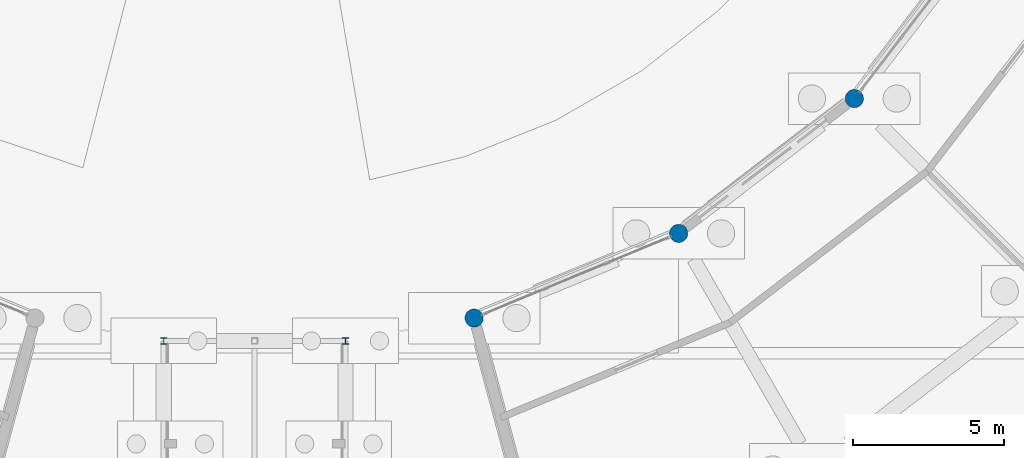
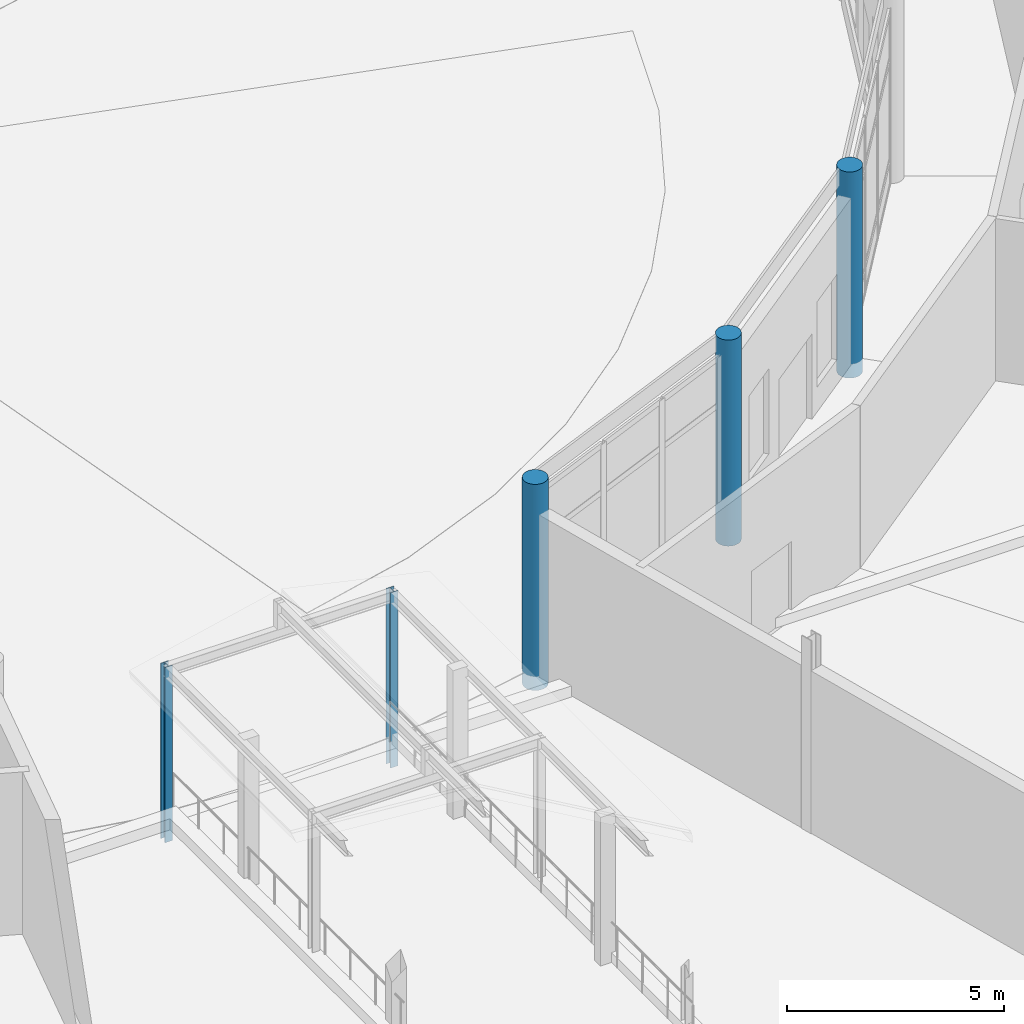
# One storey, part 11 of 137: 5 columns.
"""IFC4 building model written with IfcOpenShell, lengths in metres."""

from ifc_helpers import new_model, si_unit, direction, frame, origin, origin_2d, place, context, subcontext, project, spatial, circle, i_section, extrude, material, material_profile, profile_set, type_object, element, save


model = new_model("IFC4")

# Units and contexts
model_context = context("Model", 3, precision=1e-05, world=origin(), true_north=direction((0.0, 1.0)))
body_context = subcontext(model_context, "Body", "Model", "MODEL_VIEW")
ifc_project = project(units=[si_unit("LENGTHUNIT", "METRE"), si_unit("AREAUNIT", "SQUARE_METRE"), si_unit("VOLUMEUNIT", "CUBIC_METRE"), si_unit("PLANEANGLEUNIT", "RADIAN"), si_unit("MASSUNIT", "GRAM", prefix="KILO")], contexts=[model_context])

# Site, building, storey
site_placement = place(None, origin())
site = spatial("IfcSite", under=ifc_project, at=site_placement, CompositionType="ELEMENT")
building_placement = place(site_placement, origin())
building = spatial("IfcBuilding", under=site, at=building_placement, Name="Vondelvale Polytechnic", CompositionType="ELEMENT")
storey_placement = place(building_placement, origin())
storey = spatial("IfcBuildingStorey", under=building, at=storey_placement, Name="L00", CompositionType="ELEMENT", Elevation=0.0)

# Columns
ifc_material_1 = material(Name="Concrete N50 (f'c = 50 MPa)", Category="concrete")
ifc_material_profile_1 = material_profile(ifc_material_1, circle(Radius=0.300048828125, at=origin_2d()), Name="RC-COL-D600")
ifc_profile_set_1 = profile_set([ifc_material_profile_1], Name="Concrete N50 (f'c = 50 MPa)")
column_type_1 = type_object("IfcColumnType", Name="COL-RCD600", PredefinedType="COLUMN", material=ifc_profile_set_1)
for number, where, z_axis, x_axis, name in (
    (1, (109.246826171875, 44.9541015625, -0.39990234375), (0.0, 0.0, 1.0), (-0.258819045103, 0.965925826289, 0.0), "L00 courtyard ring column S19-RI"),
    (2, (116.0, 47.751220703125, -0.39990234375), (0.0, 0.0, 1.0), (-0.5, 0.866025403784, 0.0), "L00 courtyard ring column S20-RI"),
    (3, (121.799072265625, 52.200927734375, -0.39990234375), (0.0, 0.0, 1.0), (-0.707106781187, 0.707106781187, 0.0), "L00 courtyard ring column S21-RI"),
):
    element("IfcColumn", number, at=place(storey_placement, frame(where, z_axis=z_axis, x_axis=x_axis)), inside=storey, type_object=column_type_1, Name=name, PredefinedType="COLUMN", context=body_context, shape_type="SweptSolid", body=[
        extrude(circle(Radius=0.300048828125, at=origin_2d()), origin(), (0.0, 0.0, 1.0), 5.7998046875),
    ])
ifc_material_2 = material(Name="Steel 300PLUS (fy = 300 MPa)", Category="steel")
ifc_material_profile_2 = material_profile(ifc_material_2, i_section(OverallWidth=0.205078125, OverallDepth=0.2099609375, WebThickness=0.00927734375, FlangeThickness=0.01416015625, FilletRadius=0.011474609375, at=origin_2d()), Name="200UC59.5")
ifc_profile_set_2 = profile_set([ifc_material_profile_2], Name="Steel 300PLUS (fy = 300 MPa)")
column_type_2 = type_object("IfcColumnType", Name="COL-UC200", PredefinedType="COLUMN", material=ifc_profile_set_2)
for number, where, z_axis, x_axis, name in (
    (4, (99.0, 44.199951171875, -0.75), (0.0, 0.0, 1.0), (1.0, 0.0, 0.0), "L00 entrance footbridge pier column (99.0,44.2)"),
    (5, (105.0, 44.199951171875, -0.75), (0.0, 0.0, 1.0), (1.0, 0.0, 0.0), "L00 entrance footbridge pier column (105.0,44.2)"),
):
    element("IfcColumn", number, at=place(storey_placement, frame(where, z_axis=z_axis, x_axis=x_axis)), inside=storey, type_object=column_type_2, Name=name, PredefinedType="COLUMN", context=body_context, shape_type="SweptSolid", body=[
        extrude(i_section(OverallWidth=0.205078125, OverallDepth=0.2099609375, WebThickness=0.00927734375, FlangeThickness=0.01416015625, FilletRadius=0.011474609375, at=origin_2d()), origin(), (0.0, 0.0, 1.0), 4.929931640625),
    ])

save(model, "model.ifc")
